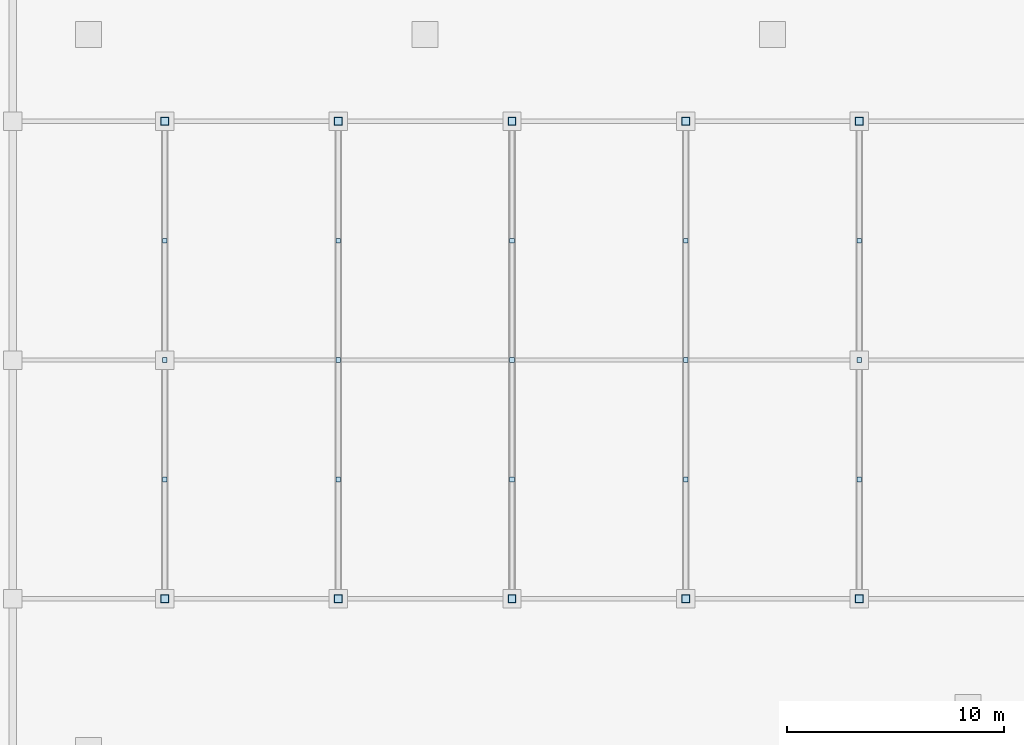
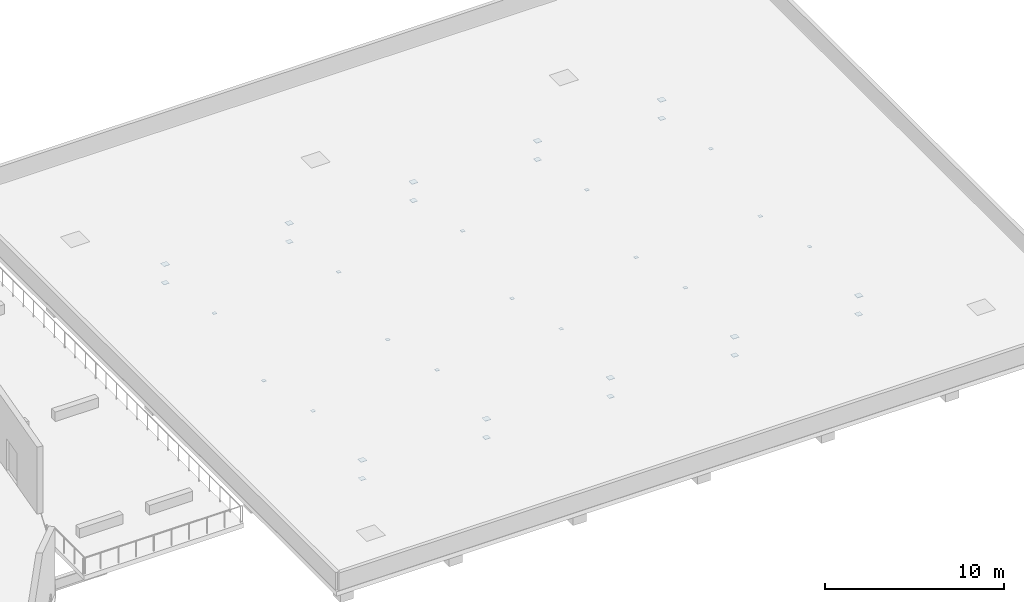
# One storey, part 15 of 26: 35 plates.
"""IFC4 building model written with IfcOpenShell, lengths in metres."""

from ifc_helpers import new_model, si_unit, direction, frame, origin, origin_2d, place, context, subcontext, project, spatial, rectangle, extrude, material, layer, layer_set, type_object, element, save


model = new_model("IFC4")

# Units and contexts
model_context = context("Model", 3, precision=1e-05, world=origin(), true_north=direction((0.0, 1.0)))
body_context = subcontext(model_context, "Body", "Model", "MODEL_VIEW")
ifc_project = project(units=[si_unit("LENGTHUNIT", "METRE"), si_unit("AREAUNIT", "SQUARE_METRE"), si_unit("VOLUMEUNIT", "CUBIC_METRE"), si_unit("PLANEANGLEUNIT", "RADIAN"), si_unit("MASSUNIT", "GRAM", prefix="KILO")], contexts=[model_context])

# Site, building, storey
site_placement = place(None, origin())
site = spatial("IfcSite", under=ifc_project, at=site_placement, CompositionType="ELEMENT")
building_placement = place(site_placement, origin())
building = spatial("IfcBuilding", under=site, at=building_placement, Name="Kazevale Care Tower and Concert Hall", CompositionType="ELEMENT")
storey_placement = place(building_placement, frame((0.0, 0.0, 19.199951171875)))
storey = spatial("IfcBuildingStorey", under=building, at=storey_placement, Name="L04", CompositionType="ELEMENT", Elevation=19.199951171875)

# Plates
ifc_material = material(Name="Steel ASTM A572 Gr 50", Category="steel")
ifc_layer = layer(ifc_material, 0.02490234375)
ifc_layer_set = layer_set([ifc_layer], Name="Steel ASTM A572 Gr 50")
plate_type = type_object("IfcPlateType", Name="Hollow Section End Cap Plate 25mm", PredefinedType="USERDEFINED", material=ifc_layer_set)
for number, where, z_axis, x_axis, name in (
    (1, (104.0, 25.0, 0.8056640625), (0.0, 0.0, 1.0), (1.0, 0.0, 0.0), "truss:L04:CT1:top:cap0"),
    (2, (104.0, 47.0, 0.8056640625), (0.0, 0.0, 1.0), (1.0, 0.0, 0.0), "truss:L04:CT1:top:cap1"),
):
    element("IfcPlate", number, at=place(storey_placement, frame(where, z_axis=z_axis, x_axis=x_axis)), inside=storey, type_object=plate_type, Name=name, ObjectType="END_CAP_PLATE", PredefinedType="USERDEFINED", context=body_context, shape_type="SweptSolid", body=[
        extrude(rectangle(XDim=0.3798828125, YDim=0.3798828125, at=origin_2d()), origin(), (0.0, 0.0, 1.0), 0.02490234375),
    ])
for number, where, z_axis, x_axis, name in (
    (3, (104.0, 25.0, -0.46240234375), (0.0, 0.0, 1.0), (1.0, 0.0, 0.0), "truss:L04:CT1:bot:cap0"),
    (4, (104.0, 47.0, -0.46240234375), (0.0, 0.0, 1.0), (1.0, 0.0, 0.0), "truss:L04:CT1:bot:cap1"),
):
    element("IfcPlate", number, at=place(storey_placement, frame(where, z_axis=z_axis, x_axis=x_axis)), inside=storey, type_object=plate_type, Name=name, ObjectType="END_CAP_PLATE", PredefinedType="USERDEFINED", context=body_context, shape_type="SweptSolid", body=[
        extrude(rectangle(XDim=0.340087890625, YDim=0.340087890625, at=origin_2d()), origin(), (0.0, 0.0, 1.0), 0.02490234375),
    ])
for number, where, z_axis, x_axis, name in (
    (5, (104.0, 30.5, 0.8056640625), (0.0, 0.0, 1.0), (1.0, 0.0, 0.0), "truss:L04:CT1:web1:cap1"),
    (6, (104.0, 36.0, -0.46240234375), (0.0, 0.0, 1.0), (1.0, 0.0, 0.0), "truss:L04:CT1:web2:cap1"),
    (7, (104.0, 41.5, 0.8056640625), (0.0, 0.0, 1.0), (1.0, 0.0, 0.0), "truss:L04:CT1:web3:cap1"),
):
    element("IfcPlate", number, at=place(storey_placement, frame(where, z_axis=z_axis, x_axis=x_axis)), inside=storey, type_object=plate_type, Name=name, ObjectType="END_CAP_PLATE", PredefinedType="USERDEFINED", context=body_context, shape_type="SweptSolid", body=[
        extrude(rectangle(XDim=0.219970703125, YDim=0.219970703125, at=origin_2d()), origin(), (0.0, 0.0, 1.0), 0.02490234375),
    ])
for number, where, z_axis, x_axis, name in (
    (8, (112.0, 25.0, 0.8056640625), (0.0, 0.0, 1.0), (1.0, 0.0, 0.0), "truss:L04:CT2:top:cap0"),
    (9, (112.0, 47.0, 0.8056640625), (0.0, 0.0, 1.0), (1.0, 0.0, 0.0), "truss:L04:CT2:top:cap1"),
):
    element("IfcPlate", number, at=place(storey_placement, frame(where, z_axis=z_axis, x_axis=x_axis)), inside=storey, type_object=plate_type, Name=name, ObjectType="END_CAP_PLATE", PredefinedType="USERDEFINED", context=body_context, shape_type="SweptSolid", body=[
        extrude(rectangle(XDim=0.3798828125, YDim=0.3798828125, at=origin_2d()), origin(), (0.0, 0.0, 1.0), 0.02490234375),
    ])
for number, where, z_axis, x_axis, name in (
    (10, (112.0, 25.0, -0.46240234375), (0.0, 0.0, 1.0), (1.0, 0.0, 0.0), "truss:L04:CT2:bot:cap0"),
    (11, (112.0, 47.0, -0.46240234375), (0.0, 0.0, 1.0), (1.0, 0.0, 0.0), "truss:L04:CT2:bot:cap1"),
):
    element("IfcPlate", number, at=place(storey_placement, frame(where, z_axis=z_axis, x_axis=x_axis)), inside=storey, type_object=plate_type, Name=name, ObjectType="END_CAP_PLATE", PredefinedType="USERDEFINED", context=body_context, shape_type="SweptSolid", body=[
        extrude(rectangle(XDim=0.340087890625, YDim=0.340087890625, at=origin_2d()), origin(), (0.0, 0.0, 1.0), 0.02490234375),
    ])
for number, where, z_axis, x_axis, name in (
    (12, (112.0, 30.5, 0.8056640625), (0.0, 0.0, 1.0), (1.0, 0.0, 0.0), "truss:L04:CT2:web1:cap1"),
    (13, (112.0, 36.0, -0.46240234375), (0.0, 0.0, 1.0), (1.0, 0.0, 0.0), "truss:L04:CT2:web2:cap1"),
    (14, (112.0, 41.5, 0.8056640625), (0.0, 0.0, 1.0), (1.0, 0.0, 0.0), "truss:L04:CT2:web3:cap1"),
):
    element("IfcPlate", number, at=place(storey_placement, frame(where, z_axis=z_axis, x_axis=x_axis)), inside=storey, type_object=plate_type, Name=name, ObjectType="END_CAP_PLATE", PredefinedType="USERDEFINED", context=body_context, shape_type="SweptSolid", body=[
        extrude(rectangle(XDim=0.219970703125, YDim=0.219970703125, at=origin_2d()), origin(), (0.0, 0.0, 1.0), 0.02490234375),
    ])
for number, where, z_axis, x_axis, name in (
    (15, (120.0, 25.0, 0.8056640625), (0.0, 0.0, 1.0), (1.0, 0.0, 0.0), "truss:L04:CT3:top:cap0"),
    (16, (120.0, 47.0, 0.8056640625), (0.0, 0.0, 1.0), (1.0, 0.0, 0.0), "truss:L04:CT3:top:cap1"),
):
    element("IfcPlate", number, at=place(storey_placement, frame(where, z_axis=z_axis, x_axis=x_axis)), inside=storey, type_object=plate_type, Name=name, ObjectType="END_CAP_PLATE", PredefinedType="USERDEFINED", context=body_context, shape_type="SweptSolid", body=[
        extrude(rectangle(XDim=0.3798828125, YDim=0.3798828125, at=origin_2d()), origin(), (0.0, 0.0, 1.0), 0.02490234375),
    ])
for number, where, z_axis, x_axis, name in (
    (17, (120.0, 25.0, -0.46240234375), (0.0, 0.0, 1.0), (1.0, 0.0, 0.0), "truss:L04:CT3:bot:cap0"),
    (18, (120.0, 47.0, -0.46240234375), (0.0, 0.0, 1.0), (1.0, 0.0, 0.0), "truss:L04:CT3:bot:cap1"),
):
    element("IfcPlate", number, at=place(storey_placement, frame(where, z_axis=z_axis, x_axis=x_axis)), inside=storey, type_object=plate_type, Name=name, ObjectType="END_CAP_PLATE", PredefinedType="USERDEFINED", context=body_context, shape_type="SweptSolid", body=[
        extrude(rectangle(XDim=0.340087890625, YDim=0.340087890625, at=origin_2d()), origin(), (0.0, 0.0, 1.0), 0.02490234375),
    ])
for number, where, z_axis, x_axis, name in (
    (19, (120.0, 30.5, 0.8056640625), (0.0, 0.0, 1.0), (1.0, 0.0, 0.0), "truss:L04:CT3:web1:cap1"),
    (20, (120.0, 36.0, -0.46240234375), (0.0, 0.0, 1.0), (1.0, 0.0, 0.0), "truss:L04:CT3:web2:cap1"),
    (21, (120.0, 41.5, 0.8056640625), (0.0, 0.0, 1.0), (1.0, 0.0, 0.0), "truss:L04:CT3:web3:cap1"),
):
    element("IfcPlate", number, at=place(storey_placement, frame(where, z_axis=z_axis, x_axis=x_axis)), inside=storey, type_object=plate_type, Name=name, ObjectType="END_CAP_PLATE", PredefinedType="USERDEFINED", context=body_context, shape_type="SweptSolid", body=[
        extrude(rectangle(XDim=0.219970703125, YDim=0.219970703125, at=origin_2d()), origin(), (0.0, 0.0, 1.0), 0.02490234375),
    ])
for number, where, z_axis, x_axis, name in (
    (22, (128.0, 25.0, 0.8056640625), (0.0, 0.0, 1.0), (1.0, 0.0, 0.0), "truss:L04:CT4:top:cap0"),
    (23, (128.0, 47.0, 0.8056640625), (0.0, 0.0, 1.0), (1.0, 0.0, 0.0), "truss:L04:CT4:top:cap1"),
):
    element("IfcPlate", number, at=place(storey_placement, frame(where, z_axis=z_axis, x_axis=x_axis)), inside=storey, type_object=plate_type, Name=name, ObjectType="END_CAP_PLATE", PredefinedType="USERDEFINED", context=body_context, shape_type="SweptSolid", body=[
        extrude(rectangle(XDim=0.3798828125, YDim=0.3798828125, at=origin_2d()), origin(), (0.0, 0.0, 1.0), 0.02490234375),
    ])
for number, where, z_axis, x_axis, name in (
    (24, (128.0, 25.0, -0.46240234375), (0.0, 0.0, 1.0), (1.0, 0.0, 0.0), "truss:L04:CT4:bot:cap0"),
    (25, (128.0, 47.0, -0.46240234375), (0.0, 0.0, 1.0), (1.0, 0.0, 0.0), "truss:L04:CT4:bot:cap1"),
):
    element("IfcPlate", number, at=place(storey_placement, frame(where, z_axis=z_axis, x_axis=x_axis)), inside=storey, type_object=plate_type, Name=name, ObjectType="END_CAP_PLATE", PredefinedType="USERDEFINED", context=body_context, shape_type="SweptSolid", body=[
        extrude(rectangle(XDim=0.340087890625, YDim=0.340087890625, at=origin_2d()), origin(), (0.0, 0.0, 1.0), 0.02490234375),
    ])
for number, where, z_axis, x_axis, name in (
    (26, (128.0, 30.5, 0.8056640625), (0.0, 0.0, 1.0), (1.0, 0.0, 0.0), "truss:L04:CT4:web1:cap1"),
    (27, (128.0, 36.0, -0.46240234375), (0.0, 0.0, 1.0), (1.0, 0.0, 0.0), "truss:L04:CT4:web2:cap1"),
    (28, (128.0, 41.5, 0.8056640625), (0.0, 0.0, 1.0), (1.0, 0.0, 0.0), "truss:L04:CT4:web3:cap1"),
):
    element("IfcPlate", number, at=place(storey_placement, frame(where, z_axis=z_axis, x_axis=x_axis)), inside=storey, type_object=plate_type, Name=name, ObjectType="END_CAP_PLATE", PredefinedType="USERDEFINED", context=body_context, shape_type="SweptSolid", body=[
        extrude(rectangle(XDim=0.219970703125, YDim=0.219970703125, at=origin_2d()), origin(), (0.0, 0.0, 1.0), 0.02490234375),
    ])
for number, where, z_axis, x_axis, name in (
    (29, (136.0, 25.0, 0.8056640625), (0.0, 0.0, 1.0), (1.0, 0.0, 0.0), "truss:L04:CT5:top:cap0"),
    (30, (136.0, 47.0, 0.8056640625), (0.0, 0.0, 1.0), (1.0, 0.0, 0.0), "truss:L04:CT5:top:cap1"),
):
    element("IfcPlate", number, at=place(storey_placement, frame(where, z_axis=z_axis, x_axis=x_axis)), inside=storey, type_object=plate_type, Name=name, ObjectType="END_CAP_PLATE", PredefinedType="USERDEFINED", context=body_context, shape_type="SweptSolid", body=[
        extrude(rectangle(XDim=0.3798828125, YDim=0.3798828125, at=origin_2d()), origin(), (0.0, 0.0, 1.0), 0.02490234375),
    ])
for number, where, z_axis, x_axis, name in (
    (31, (136.0, 25.0, -0.46240234375), (0.0, 0.0, 1.0), (1.0, 0.0, 0.0), "truss:L04:CT5:bot:cap0"),
    (32, (136.0, 47.0, -0.46240234375), (0.0, 0.0, 1.0), (1.0, 0.0, 0.0), "truss:L04:CT5:bot:cap1"),
):
    element("IfcPlate", number, at=place(storey_placement, frame(where, z_axis=z_axis, x_axis=x_axis)), inside=storey, type_object=plate_type, Name=name, ObjectType="END_CAP_PLATE", PredefinedType="USERDEFINED", context=body_context, shape_type="SweptSolid", body=[
        extrude(rectangle(XDim=0.340087890625, YDim=0.340087890625, at=origin_2d()), origin(), (0.0, 0.0, 1.0), 0.02490234375),
    ])
for number, where, z_axis, x_axis, name in (
    (33, (136.0, 30.5, 0.8056640625), (0.0, 0.0, 1.0), (1.0, 0.0, 0.0), "truss:L04:CT5:web1:cap1"),
    (34, (136.0, 36.0, -0.46240234375), (0.0, 0.0, 1.0), (1.0, 0.0, 0.0), "truss:L04:CT5:web2:cap1"),
    (35, (136.0, 41.5, 0.8056640625), (0.0, 0.0, 1.0), (1.0, 0.0, 0.0), "truss:L04:CT5:web3:cap1"),
):
    element("IfcPlate", number, at=place(storey_placement, frame(where, z_axis=z_axis, x_axis=x_axis)), inside=storey, type_object=plate_type, Name=name, ObjectType="END_CAP_PLATE", PredefinedType="USERDEFINED", context=body_context, shape_type="SweptSolid", body=[
        extrude(rectangle(XDim=0.219970703125, YDim=0.219970703125, at=origin_2d()), origin(), (0.0, 0.0, 1.0), 0.02490234375),
    ])

save(model, "model.ifc")
